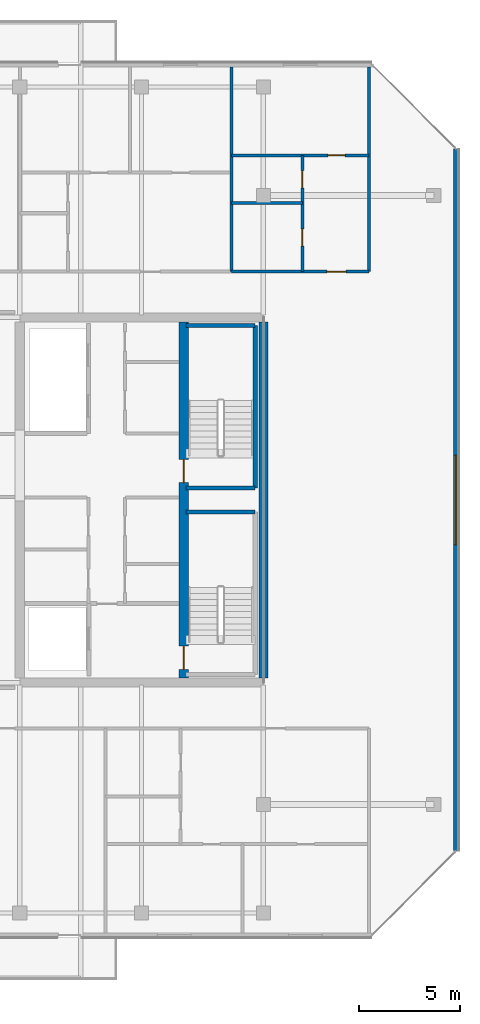
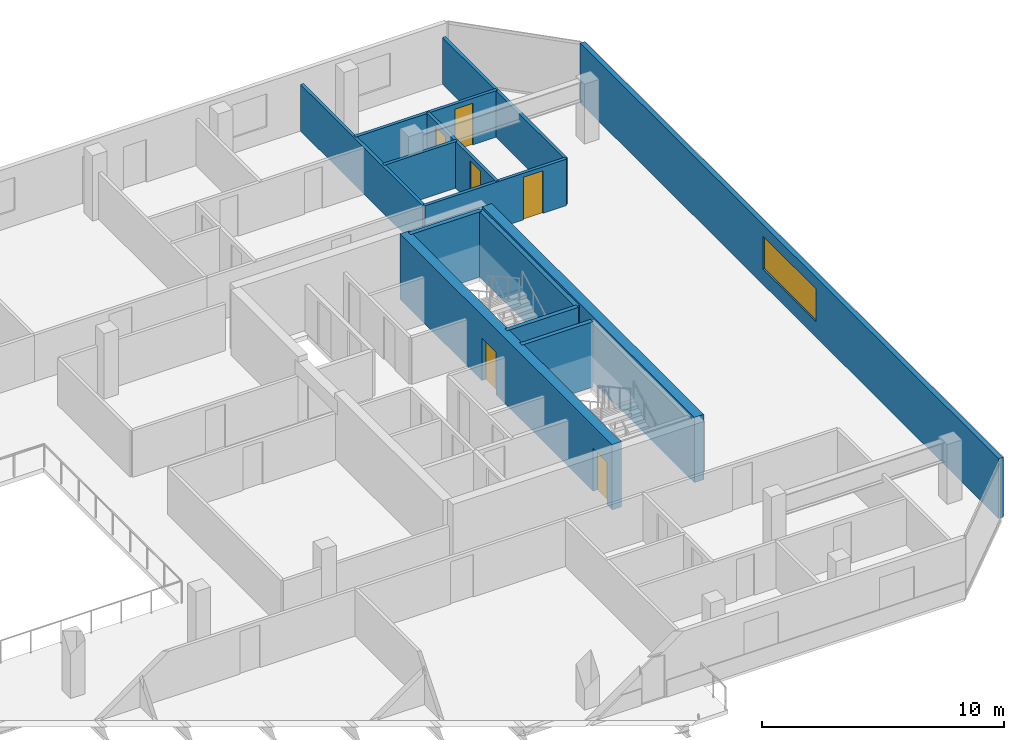
# One storey, part 19 of 24: 13 walls, 6 doors, 1 window, 7 openings.
"""IFC4 building model written with IfcOpenShell, lengths in metres."""

from ifc_helpers import new_model, si_unit, direction, frame, frame_2d, origin, place, context, subcontext, project, spatial, rectangle, extrude, material, layer, layer_set, type_object, element, fill, save


model = new_model("IFC4")

# Units and contexts
model_context = context("Model", 3, precision=1e-05, world=origin(), true_north=direction((0.0, 1.0)))
body_context = subcontext(model_context, "Body", "Model", "MODEL_VIEW")
ifc_project = project(units=[si_unit("LENGTHUNIT", "METRE"), si_unit("AREAUNIT", "SQUARE_METRE"), si_unit("VOLUMEUNIT", "CUBIC_METRE"), si_unit("PLANEANGLEUNIT", "RADIAN"), si_unit("MASSUNIT", "GRAM", prefix="KILO")], contexts=[model_context])

# Site, building, storey
site_placement = place(None, origin())
site = spatial("IfcSite", under=ifc_project, at=site_placement, CompositionType="ELEMENT")
building_placement = place(site_placement, origin())
building = spatial("IfcBuilding", under=site, at=building_placement, Name="Tanjung Sevakor Pilgrim Tower", CompositionType="ELEMENT")
storey_placement = place(building_placement, frame((0.0, 0.0, 226.050048828125)))
storey = spatial("IfcBuildingStorey", under=building, at=storey_placement, Name="L63", CompositionType="ELEMENT", Elevation=226.050048828125)

# Wall
ifc_material_1 = material(Name="Concrete C60/75", Category="concrete")
ifc_layer_1 = layer(ifc_material_1, 0.449951171875)
ifc_layer_set_1 = layer_set([ifc_layer_1], Name="WALL-CW-450")
wall_type_1 = type_object("IfcWallType", Name="WALL-CW-450", PredefinedType="SHEAR", material=ifc_layer_set_1)
wall_1_placement = place(storey_placement, frame((90.0, 24.824951171875, 0.0), z_axis=(0.0, 0.0, 1.0), x_axis=(0.0, 1.0, 0.0)))
element("IfcWall", 1, at=wall_1_placement, inside=storey, type_object=wall_type_1, Name="L63 E Core Outer Shear Wall", PredefinedType="SHEAR", context=body_context, shape_type="SweptSolid", body=[
    extrude(rectangle(XDim=17.550048828125, YDim=0.449951171875, at=frame_2d((8.77490234375, 0.0))), origin(), (0.0, 0.0, 1.0), 3.300048828125),
])

# Wall, openings, doors
wall_2_placement = place(storey_placement, frame((86.074951171875, 24.824951171875, 0.0), z_axis=(0.0, 0.0, 1.0), x_axis=(0.0, 1.0, 0.0)))
wall_2 = element("IfcWall", 2, at=wall_2_placement, inside=storey, type_object=wall_type_1, Name="L63 E Core Stair Spine Wall", PredefinedType="SHEAR", context=body_context, shape_type="SweptSolid", body=[
    extrude(rectangle(XDim=17.550048828125, YDim=0.449951171875, at=frame_2d((8.77490234375, 0.0))), origin(), (0.0, 0.0, 1.0), 3.300048828125),
])
opening_1_placement = place(wall_2_placement, frame((0.425048828125, 0.0, 0.0)))
opening_1 = element("IfcOpeningElement", 3, at=opening_1_placement, cuts=wall_2, Name="Opening ID-ST1", PredefinedType="OPENING", context=body_context, shape_type="SweptSolid", body=[
    extrude(rectangle(XDim=1.14990234375, YDim=2.14990234375, at=frame_2d((0.574951171875, 1.074951171875))), frame((0.0, 0.23486328125, 0.0), z_axis=(0.0, -1.0, 0.0), x_axis=(1.0, 0.0, 0.0)), (0.0, 0.0, 1.0), 0.469970703125),
])
opening_2_placement = place(wall_2_placement, frame((9.625, 0.0, 0.0)))
opening_2 = element("IfcOpeningElement", 4, at=opening_2_placement, cuts=wall_2, Name="Opening ID-ST1", PredefinedType="OPENING", context=body_context, shape_type="SweptSolid", body=[
    extrude(rectangle(XDim=1.14990234375, YDim=2.14990234375, at=frame_2d((0.574951171875, 1.074951171875))), frame((0.0, 0.23486328125, 0.0), z_axis=(0.0, -1.0, 0.0), x_axis=(1.0, 0.0, 0.0)), (0.0, 0.0, 1.0), 0.469970703125),
])
ifc_material_2 = material(Name="Fire-Rated Steel S355J2", Category="steel")
door_type_1 = type_object("IfcDoorType", Name="DT-FIRE-1150", OperationType="NOTDEFINED", PredefinedType="DOOR", material=ifc_material_2)
door_1_placement = place(opening_1_placement, origin())
door_1 = element("IfcDoor", 5, at=door_1_placement, inside=storey, type_object=door_type_1, Name="L63 TS-E1 Stair Fire Door", OperationType="SINGLE_SWING_RIGHT", OverallHeight=2.14990234375, OverallWidth=1.14990234375, PredefinedType="DOOR", context=body_context, shape_type="SweptSolid", body=[
    extrude(rectangle(XDim=1.14990234375, YDim=2.14990234375, at=frame_2d((0.574951171875, 1.074951171875))), frame((0.0, 0.02490234375, 0.0), z_axis=(0.0, -1.0, 0.0), x_axis=(1.0, 0.0, 0.0)), (0.0, 0.0, 1.0), 0.050048828125),
])
fill(opening_1, door_1)
door_2_placement = place(opening_2_placement, origin())
door_2 = element("IfcDoor", 6, at=door_2_placement, inside=storey, type_object=door_type_1, Name="L63 TS-E2 Stair Fire Door", OperationType="SINGLE_SWING_LEFT", OverallHeight=2.14990234375, OverallWidth=1.14990234375, PredefinedType="DOOR", context=body_context, shape_type="SweptSolid", body=[
    extrude(rectangle(XDim=1.14990234375, YDim=2.14990234375, at=frame_2d((0.574951171875, 1.074951171875))), frame((0.0, 0.02490234375, 0.0), z_axis=(0.0, -1.0, 0.0), x_axis=(1.0, 0.0, 0.0)), (0.0, 0.0, 1.0), 0.050048828125),
])
fill(opening_2, door_2)

# Walls
ifc_material_3 = material(Name="Concrete C40/50", Category="concrete")
ifc_layer_2 = layer(ifc_material_3, 0.14990234375)
ifc_layer_set_2 = layer_set([ifc_layer_2], Name="WT-COMP-150")
wall_type_2 = type_object("IfcWallType", Name="WT-COMP-150", PredefinedType="SOLIDWALL", material=ifc_layer_set_2)
for number, where, z_axis, x_axis, name in (
    (7, (95.199951171875, 44.85009765625, 0.0), (0.0, 0.0, 1.0), (0.0, 1.0, 0.0), "L63 Partition IW-L63-082"),
    (8, (88.423583984375, 44.85009765625, 0.0), (0.0, 0.0, 1.0), (0.0, 1.0, 0.0), "L63 Partition IW-L63-093"),
):
    element("IfcWall", number, at=place(storey_placement, frame(where, z_axis=z_axis, x_axis=x_axis)), inside=storey, type_object=wall_type_2, Name=name, PredefinedType="SOLIDWALL", context=body_context, shape_type="SweptSolid", body=[
        extrude(rectangle(XDim=10.079833984375, YDim=0.14990234375, at=frame_2d((5.0400390625, 0.0))), origin(), (0.0, 0.0, 1.0), 2.35009765625),
    ])

# Wall, opening, door
wall_3_placement = place(storey_placement, frame((88.423583984375, 44.85009765625, 0.0), z_axis=(0.0, 0.0, 1.0), x_axis=(1.0, 0.0, 0.0)))
wall_3 = element("IfcWall", 9, at=wall_3_placement, inside=storey, type_object=wall_type_2, Name="L63 Partition IW-L63-102", PredefinedType="SOLIDWALL", context=body_context, shape_type="SweptSolid", body=[
    extrude(rectangle(XDim=6.7763671875, YDim=0.14990234375, at=frame_2d((3.38818359375, 0.0))), origin(), (0.0, 0.0, 1.0), 2.35009765625),
])
opening_3_placement = place(wall_3_placement, frame((4.701416015625, 0.0, 0.0)))
opening_3 = element("IfcOpeningElement", 10, at=opening_3_placement, cuts=wall_3, Name="Opening ID-FD2", PredefinedType="OPENING", context=body_context, shape_type="SweptSolid", body=[
    extrude(rectangle(XDim=0.949951171875, YDim=2.14990234375, at=frame_2d((0.47509765625, 1.074951171875))), frame((0.0, 0.0849609375, 0.0), z_axis=(0.0, -1.0, 0.0), x_axis=(1.0, 0.0, 0.0)), (0.0, 0.0, 1.0), 0.169921875),
])
ifc_material_4 = material(Name="Fire-Rated Timber", Category="wood")
door_type_2 = type_object("IfcDoorType", Name="DT-FIRE-950", OperationType="NOTDEFINED", PredefinedType="DOOR", material=ifc_material_4)
door_3_placement = place(opening_3_placement, origin())
door_3 = element("IfcDoor", 11, at=door_3_placement, inside=storey, type_object=door_type_2, Name="Residence Entrance", OperationType="SINGLE_SWING_LEFT", OverallHeight=2.14990234375, OverallWidth=0.949951171875, PredefinedType="DOOR", context=body_context, shape_type="SweptSolid", body=[
    extrude(rectangle(XDim=0.949951171875, YDim=2.14990234375, at=frame_2d((0.47509765625, 1.074951171875))), frame((0.0, 0.02490234375, 0.0), z_axis=(0.0, -1.0, 0.0), x_axis=(1.0, 0.0, 0.0)), (0.0, 0.0, 1.0), 0.050048828125),
])
fill(opening_3, door_3)

# Wall, opening, window
ifc_material_5 = material(Name="Precast concrete C45/55", Category="concrete")
ifc_layer_3 = layer(ifc_material_5, 0.219970703125)
ifc_layer_set_3 = layer_set([ifc_layer_3], Name="WT-EW-STN4")
wall_type_3 = type_object("IfcWallType", Name="WT-EW-STN4", PredefinedType="SOLIDWALL", material=ifc_layer_set_3)
wall_4_placement = place(storey_placement, frame((99.489990234375, 16.295654296875, 0.0), z_axis=(0.0, 0.0, 1.0), x_axis=(0.0, 1.0, 0.0)))
wall_4 = element("IfcWall", 12, at=wall_4_placement, inside=storey, type_object=wall_type_3, Name="L63 MAIN Exterior Wall 7", PredefinedType="SOLIDWALL", context=body_context, shape_type="SweptSolid", body=[
    extrude(rectangle(XDim=34.608642578125, YDim=0.219970703125, at=frame_2d((17.30419921875, 0.0))), origin(), (0.0, 0.0, 1.0), 3.02001953125),
])
opening_4_placement = place(wall_4_placement, frame((15.1044921875, 0.0, 0.780029296875)))
opening_4 = element("IfcOpeningElement", 13, at=opening_4_placement, cuts=wall_4, Name="Opening WN-ENDW-1660", PredefinedType="OPENING", context=body_context, shape_type="SweptSolid", body=[
    extrude(rectangle(XDim=4.39990234375, YDim=1.659912109375, at=frame_2d((2.199951171875, 0.830078125))), frame((0.0, 0.119873046875, 0.0), z_axis=(0.0, -1.0, 0.0), x_axis=(1.0, 0.0, 0.0)), (0.0, 0.0, 1.0), 0.239990234375),
])
ifc_material_6 = material(Name="Thermally Broken Aluminium and Low-E Glass", Category="aluminium")
window_type = type_object("IfcWindowType", Name="WTYP-WN-ENDW-1660", PartitioningType="DOUBLE_PANEL_VERTICAL", PredefinedType="WINDOW", material=ifc_material_6)
window_placement = place(opening_4_placement, origin())
window = element("IfcWindow", 14, at=window_placement, inside=storey, type_object=window_type, Name="L63 Facade Window 01", OverallHeight=1.659912109375, OverallWidth=4.39990234375, PartitioningType="SINGLE_PANEL", PredefinedType="WINDOW", context=body_context, shape_type="SweptSolid", body=[
    extrude(rectangle(XDim=4.39990234375, YDim=1.659912109375, at=frame_2d((2.199951171875, 0.830078125))), frame((0.0, 0.030029296875, 0.0), z_axis=(0.0, -1.0, 0.0), x_axis=(1.0, 0.0, 0.0)), (0.0, 0.0, 1.0), 0.06005859375),
])
fill(opening_4, window)

# Walls
ifc_material_7 = material(Name="Concrete C40/50", Category="concrete")
ifc_layer_4 = layer(ifc_material_7, 0.199951171875)
ifc_layer_set_4 = layer_set([ifc_layer_4], Name="WT-FIRE-200")
wall_type_4 = type_object("IfcWallType", Name="WT-FIRE-200", PredefinedType="SOLIDWALL", material=ifc_layer_set_4)
for number, where, z_axis, x_axis, name in (
    (15, (89.60009765625, 33.0, 0.0), (0.0, 0.0, 1.0), (-1.0, 0.0, 0.0), "L63 TS-E1 Shaft Wall 3"),
    (16, (86.199951171875, 34.199951171875, 0.0), (0.0, 0.0, 1.0), (1.0, 0.0, 0.0), "L63 TS-E2 Shaft Wall 1"),
):
    element("IfcWall", number, at=place(storey_placement, frame(where, z_axis=z_axis, x_axis=x_axis)), inside=storey, type_object=wall_type_4, Name=name, PredefinedType="SOLIDWALL", context=body_context, shape_type="SweptSolid", body=[
        extrude(rectangle(XDim=3.400146484375, YDim=0.199951171875, at=frame_2d((1.7001953125, 0.0))), origin(), (0.0, 0.0, 1.0), 3.300048828125),
    ])
wall_5_placement = place(storey_placement, frame((89.60009765625, 34.199951171875, 0.0), z_axis=(0.0, 0.0, 1.0), x_axis=(0.0, 1.0, 0.0)))
element("IfcWall", 17, at=wall_5_placement, inside=storey, type_object=wall_type_4, Name="L63 TS-E2 Shaft Wall 2", PredefinedType="SOLIDWALL", context=body_context, shape_type="SweptSolid", body=[
    extrude(rectangle(XDim=8.0, YDim=0.199951171875, at=frame_2d((4.0, 0.0))), origin(), (0.0, 0.0, 1.0), 3.300048828125),
])
wall_6_placement = place(storey_placement, frame((89.60009765625, 42.199951171875, 0.0), z_axis=(0.0, 0.0, 1.0), x_axis=(-1.0, 0.0, 0.0)))
element("IfcWall", 18, at=wall_6_placement, inside=storey, type_object=wall_type_4, Name="L63 TS-E2 Shaft Wall 3", PredefinedType="SOLIDWALL", context=body_context, shape_type="SweptSolid", body=[
    extrude(rectangle(XDim=3.400146484375, YDim=0.199951171875, at=frame_2d((1.7001953125, 0.0))), origin(), (0.0, 0.0, 1.0), 3.300048828125),
])
ifc_material_8 = material(Name="Gypsum Board Partition", Category="gypsum board")
ifc_layer_5 = layer(ifc_material_8, 0.14990234375)
ifc_layer_set_5 = layer_set([ifc_layer_5], Name="WT-PART-150")
wall_type_5 = type_object("IfcWallType", Name="WT-PART-150", PredefinedType="PARTITIONING", material=ifc_layer_set_5)
wall_7_placement = place(storey_placement, frame((88.423583984375, 48.228759765625, 0.0), z_axis=(0.0, 0.0, 1.0), x_axis=(1.0, 0.0, 0.0)))
element("IfcWall", 19, at=wall_7_placement, inside=storey, type_object=wall_type_5, Name="L63 Partition IW-L63-099", PredefinedType="PARTITIONING", context=body_context, shape_type="SweptSolid", body=[
    extrude(rectangle(XDim=3.496337890625, YDim=0.14990234375, at=frame_2d((1.748046875, 0.0))), origin(), (0.0, 0.0, 1.0), 2.35009765625),
])

# Wall, openings, doors
wall_8_placement = place(storey_placement, frame((91.919921875, 44.85009765625, 0.0), z_axis=(0.0, 0.0, 1.0), x_axis=(0.0, 1.0, 0.0)))
wall_8 = element("IfcWall", 20, at=wall_8_placement, inside=storey, type_object=wall_type_5, Name="L63 Partition IW-L63-100", PredefinedType="PARTITIONING", context=body_context, shape_type="SweptSolid", body=[
    extrude(rectangle(XDim=5.7265625, YDim=0.14990234375, at=frame_2d((2.86328125, 0.0))), origin(), (0.0, 0.0, 1.0), 2.35009765625),
])
opening_5_placement = place(wall_8_placement, frame((1.264404296875, 0.0, 0.0)))
opening_5 = element("IfcOpeningElement", 21, at=opening_5_placement, cuts=wall_8, Name="Opening ID-WC1", PredefinedType="OPENING", context=body_context, shape_type="SweptSolid", body=[
    extrude(rectangle(XDim=0.85009765625, YDim=2.10009765625, at=frame_2d((0.425048828125, 1.050048828125))), frame((0.0, 0.0849609375, 0.0), z_axis=(0.0, -1.0, 0.0), x_axis=(1.0, 0.0, 0.0)), (0.0, 0.0, 1.0), 0.169921875),
])
opening_6_placement = place(wall_8_placement, frame((4.127685546875, 0.0, 0.0)))
opening_6 = element("IfcOpeningElement", 22, at=opening_6_placement, cuts=wall_8, Name="Opening ID-WC1", PredefinedType="OPENING", context=body_context, shape_type="SweptSolid", body=[
    extrude(rectangle(XDim=0.85009765625, YDim=2.10009765625, at=frame_2d((0.425048828125, 1.050048828125))), frame((0.0, 0.0849609375, 0.0), z_axis=(0.0, -1.0, 0.0), x_axis=(1.0, 0.0, 0.0)), (0.0, 0.0, 1.0), 0.169921875),
])
ifc_material_9 = material(Name="Moisture-Resistant Timber", Category="wood")
door_type_3 = type_object("IfcDoorType", Name="DT-INT-850", OperationType="NOTDEFINED", PredefinedType="DOOR", material=ifc_material_9)
door_4_placement = place(opening_5_placement, origin())
door_4 = element("IfcDoor", 23, at=door_4_placement, inside=storey, type_object=door_type_3, Name="Residence Kitchenette Door", OperationType="SINGLE_SWING_RIGHT", OverallHeight=2.10009765625, OverallWidth=0.85009765625, PredefinedType="DOOR", context=body_context, shape_type="SweptSolid", body=[
    extrude(rectangle(XDim=0.85009765625, YDim=2.10009765625, at=frame_2d((0.425048828125, 1.050048828125))), frame((0.0, 0.02490234375, 0.0), z_axis=(0.0, -1.0, 0.0), x_axis=(1.0, 0.0, 0.0)), (0.0, 0.0, 1.0), 0.050048828125),
])
fill(opening_5, door_4)
door_5_placement = place(opening_6_placement, origin())
door_5 = element("IfcDoor", 24, at=door_5_placement, inside=storey, type_object=door_type_3, Name="Residence Bathroom Door", OperationType="SINGLE_SWING_LEFT", OverallHeight=2.10009765625, OverallWidth=0.85009765625, PredefinedType="DOOR", context=body_context, shape_type="SweptSolid", body=[
    extrude(rectangle(XDim=0.85009765625, YDim=2.10009765625, at=frame_2d((0.425048828125, 1.050048828125))), frame((0.0, 0.02490234375, 0.0), z_axis=(0.0, -1.0, 0.0), x_axis=(1.0, 0.0, 0.0)), (0.0, 0.0, 1.0), 0.050048828125),
])
fill(opening_6, door_5)

# Wall, opening, door
wall_9_placement = place(storey_placement, frame((88.423583984375, 50.57666015625, 0.0), z_axis=(0.0, 0.0, 1.0), x_axis=(1.0, 0.0, 0.0)))
wall_9 = element("IfcWall", 25, at=wall_9_placement, inside=storey, type_object=wall_type_5, Name="L63 Partition IW-L63-101", PredefinedType="PARTITIONING", context=body_context, shape_type="SweptSolid", body=[
    extrude(rectangle(XDim=6.7763671875, YDim=0.14990234375, at=frame_2d((3.38818359375, 0.0))), origin(), (0.0, 0.0, 1.0), 2.35009765625),
])
opening_7_placement = place(wall_9_placement, frame((4.75146484375, 0.0, 0.0)))
opening_7 = element("IfcOpeningElement", 26, at=opening_7_placement, cuts=wall_9, Name="Opening ID-WC1", PredefinedType="OPENING", context=body_context, shape_type="SweptSolid", body=[
    extrude(rectangle(XDim=0.85009765625, YDim=2.10009765625, at=frame_2d((0.425048828125, 1.050048828125))), frame((0.0, 0.0849609375, 0.0), z_axis=(0.0, -1.0, 0.0), x_axis=(1.0, 0.0, 0.0)), (0.0, 0.0, 1.0), 0.169921875),
])
door_6_placement = place(opening_7_placement, origin())
door_6 = element("IfcDoor", 27, at=door_6_placement, inside=storey, type_object=door_type_3, Name="Residence Bedroom Door", OperationType="SINGLE_SWING_RIGHT", OverallHeight=2.10009765625, OverallWidth=0.85009765625, PredefinedType="DOOR", context=body_context, shape_type="SweptSolid", body=[
    extrude(rectangle(XDim=0.85009765625, YDim=2.10009765625, at=frame_2d((0.425048828125, 1.050048828125))), frame((0.0, 0.02490234375, 0.0), z_axis=(0.0, -1.0, 0.0), x_axis=(1.0, 0.0, 0.0)), (0.0, 0.0, 1.0), 0.050048828125),
])
fill(opening_7, door_6)

save(model, "model.ifc")
